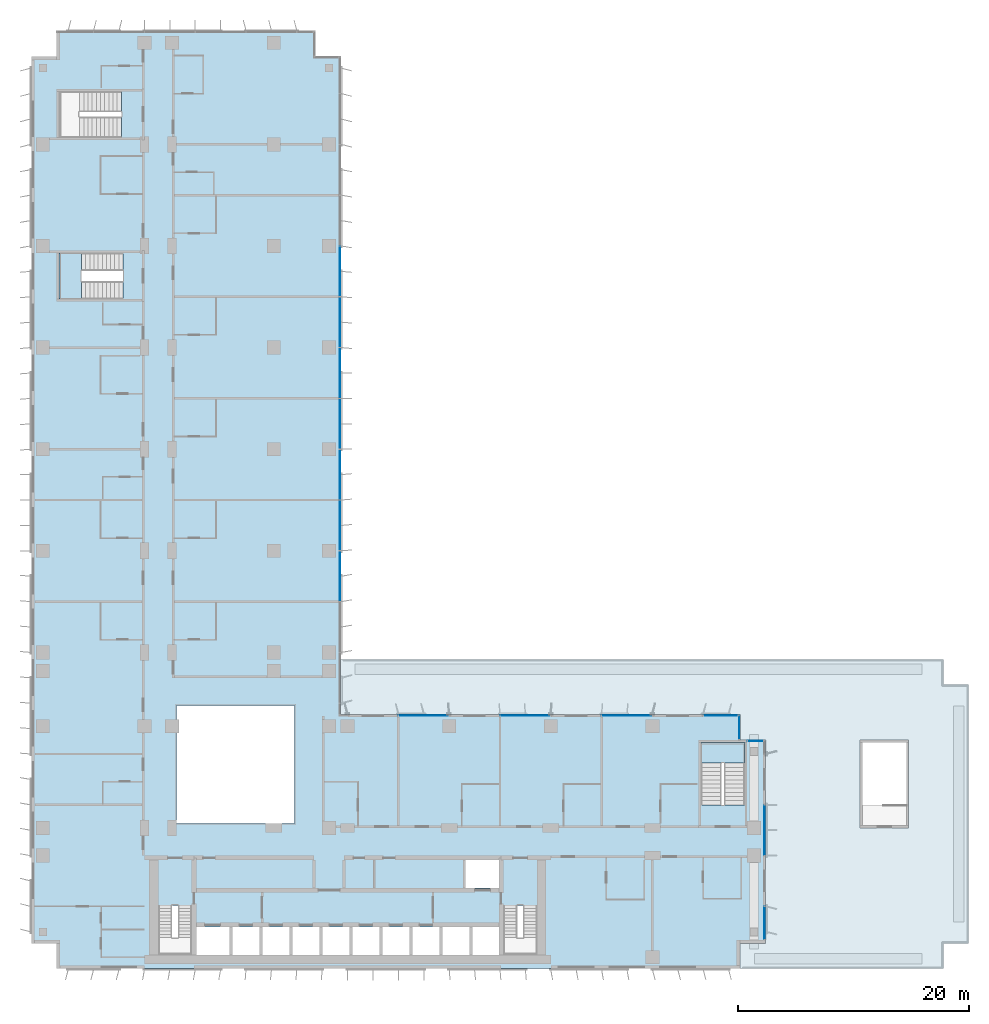
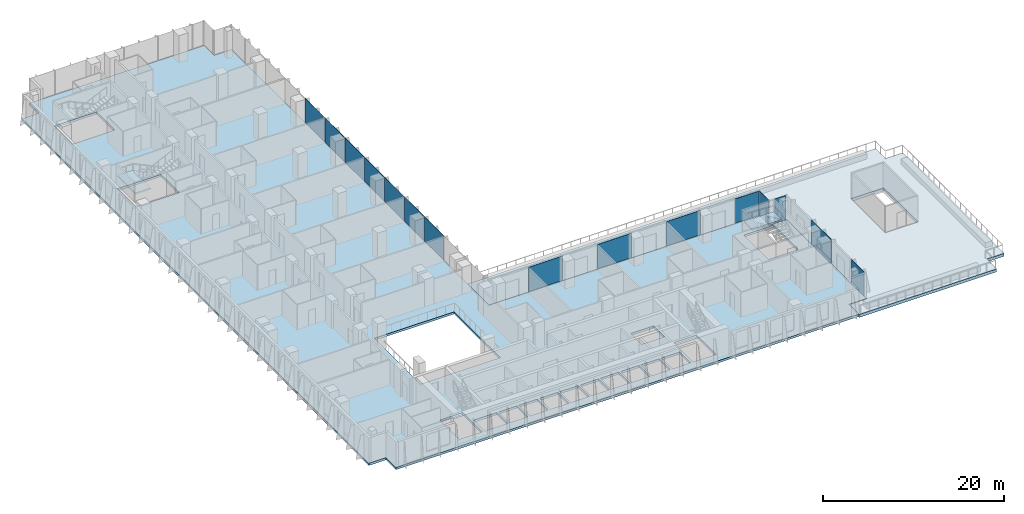
# One storey, part 11 of 27: 15 plates, 4 slabs, 11 elements without a shape of their own.
"""IFC4 building model written with IfcOpenShell, lengths in metres."""

from ifc_helpers import new_model, si_unit, direction, frame, origin, origin_2d, place, context, subcontext, project, spatial, polyline, rectangle, outline, extrude, source, transform, mapped, material, layer, layer_set, type_object, element, aggregate, save


model = new_model("IFC4")

# Units and contexts
model_context = context("Model", 3, precision=1e-05, world=origin(), true_north=direction((0.0, 1.0)))
body_context = subcontext(model_context, "Body", "Model", "MODEL_VIEW")
ifc_project = project(units=[si_unit("LENGTHUNIT", "METRE"), si_unit("AREAUNIT", "SQUARE_METRE"), si_unit("VOLUMEUNIT", "CUBIC_METRE"), si_unit("PLANEANGLEUNIT", "RADIAN"), si_unit("MASSUNIT", "GRAM", prefix="KILO")], contexts=[model_context])

# Site, building, storey
site_placement = place(None, origin())
site = spatial("IfcSite", under=ifc_project, at=site_placement, CompositionType="ELEMENT")
building_placement = place(site_placement, origin())
building = spatial("IfcBuilding", under=site, at=building_placement, Name="Kemantara Hotel Tower", CompositionType="ELEMENT")
storey_placement = place(building_placement, frame((0.0, 0.0, 83.39990234375)))
storey = spatial("IfcBuildingStorey", under=building, at=storey_placement, Name="L19", CompositionType="ELEMENT", Elevation=83.39990234375)

# Slabs
ifc_material_1 = material(Name="Concrete fc 40 MPa", Category="concrete")
ifc_layer_1 = layer(ifc_material_1, 0.300048828125)
ifc_layer_set_1 = layer_set([ifc_layer_1], Name="Concrete fc 40 MPa")
slab_type_1 = type_object("IfcSlabType", Name="POST-TENSIONED FLAT PLATE 300", PredefinedType="FLOOR", material=ifc_layer_set_1)
slab_1_placement = place(storey_placement, frame((0.0, 0.0, -0.2998046875)))
element("IfcSlab", 1, at=slab_1_placement, inside=storey, type_object=slab_type_1, Name="FLOOR SLAB L19", PredefinedType="FLOOR", context=body_context, shape_type="SweptSolid", body=[
    extrude(outline(polyline([(26.800048828125, 79.0), (24.60009765625, 79.0), (24.60009765625, 81.199951171875), (2.199951171875, 81.199951171875), (2.199951171875, 79.0), (0.0, 79.0), (0.0, 2.199951171875), (2.199951171875, 2.199951171875), (2.199951171875, 0.0), (61.39990234375, 0.0), (61.39990234375, 2.199951171875), (63.60009765625, 2.199951171875), (63.60009765625, 19.800048828125), (61.39990234375, 19.800048828125), (61.39990234375, 22.0), (26.800048828125, 22.0), (26.800048828125, 79.0)]), holes=[polyline([(17.175048828125, 1.199951171875), (14.22509765625, 1.199951171875), (14.22509765625, 3.60009765625), (17.175048828125, 3.60009765625), (17.175048828125, 1.199951171875)]), polyline([(19.77490234375, 1.199951171875), (17.425048828125, 1.199951171875), (17.425048828125, 3.60009765625), (19.77490234375, 3.60009765625), (19.77490234375, 1.199951171875)]), polyline([(22.375, 1.199951171875), (20.02490234375, 1.199951171875), (20.02490234375, 3.60009765625), (22.375, 3.60009765625), (22.375, 1.199951171875)]), polyline([(24.97509765625, 1.199951171875), (22.625, 1.199951171875), (22.625, 3.60009765625), (24.97509765625, 3.60009765625), (24.97509765625, 1.199951171875)]), polyline([(27.574951171875, 1.199951171875), (25.22509765625, 1.199951171875), (25.22509765625, 3.60009765625), (27.574951171875, 3.60009765625), (27.574951171875, 1.199951171875)]), polyline([(11.0, 1.199951171875), (11.0, 5.49951171875), (13.89990234375, 5.49951171875), (13.89990234375, 1.199951171875), (11.0, 1.199951171875)]), polyline([(22.800048828125, 12.60009765625), (12.60009765625, 12.60009765625), (12.60009765625, 22.800048828125), (22.800048828125, 22.800048828125), (22.800048828125, 12.60009765625)]), polyline([(2.39990234375, 62.0), (7.949462890625, 62.0), (7.949462890625, 58.0), (2.39990234375, 58.0), (2.39990234375, 62.0)]), polyline([(2.39990234375, 76.0), (7.79931640625, 76.0), (7.79931640625, 72.0), (2.39990234375, 72.0), (2.39990234375, 76.0)]), polyline([(30.175048828125, 1.199951171875), (27.824951171875, 1.199951171875), (27.824951171875, 3.60009765625), (30.175048828125, 3.60009765625), (30.175048828125, 1.199951171875)]), polyline([(32.77490234375, 1.199951171875), (30.425048828125, 1.199951171875), (30.425048828125, 3.60009765625), (32.77490234375, 3.60009765625), (32.77490234375, 1.199951171875)]), polyline([(35.375, 1.199951171875), (33.02490234375, 1.199951171875), (33.02490234375, 3.60009765625), (35.375, 3.60009765625), (35.375, 1.199951171875)]), polyline([(37.97509765625, 1.199951171875), (35.625, 1.199951171875), (35.625, 3.60009765625), (37.97509765625, 3.60009765625), (37.97509765625, 1.199951171875)]), polyline([(40.574951171875, 1.199951171875), (38.22509765625, 1.199951171875), (38.22509765625, 3.60009765625), (40.574951171875, 3.60009765625), (40.574951171875, 1.199951171875)]), polyline([(40.89990234375, 1.199951171875), (40.89990234375, 5.49951171875), (43.800048828125, 5.49951171875), (43.800048828125, 1.199951171875), (40.89990234375, 1.199951171875)]), polyline([(37.625, 7.0), (37.625, 9.39990234375), (40.574951171875, 9.39990234375), (40.574951171875, 7.0), (37.625, 7.0)]), polyline([(61.800048828125, 14.20068359375), (58.0, 14.20068359375), (58.0, 19.60009765625), (61.800048828125, 19.60009765625), (61.800048828125, 14.20068359375)])]), origin(), (0.0, 0.0, 1.0), 0.2998046875),
])
ifc_layer_2 = layer(ifc_material_1, 0.39990234375)
ifc_layer_set_2 = layer_set([ifc_layer_2], Name="Concrete fc 40 MPa")
slab_type_2 = type_object("IfcSlabType", Name="REINFORCED DECK SLAB 400", PredefinedType="FLOOR", material=ifc_layer_set_2)
slab_2_placement = place(storey_placement, frame((0.0, 0.0, -0.449951171875)))
element("IfcSlab", 2, at=slab_2_placement, inside=storey, type_object=slab_type_2, Name="TERRACE SLAB S1", PredefinedType="FLOOR", context=body_context, shape_type="SweptSolid", body=[
    extrude(outline(polyline([(79.0, 26.800048828125), (26.800048828125, 26.800048828125), (26.800048828125, 22.0), (61.39990234375, 22.0), (61.39990234375, 19.800048828125), (63.60009765625, 19.800048828125), (63.60009765625, 2.199951171875), (61.39990234375, 2.199951171875), (61.39990234375, 0.0), (79.0, 0.0), (79.0, 2.199951171875), (81.199951171875, 2.199951171875), (81.199951171875, 24.60009765625), (79.0, 24.60009765625), (79.0, 26.800048828125)]), holes=[polyline([(76.0, 12.199951171875), (71.800048828125, 12.199951171875), (71.800048828125, 19.800048828125), (76.0, 19.800048828125), (76.0, 12.199951171875)])]), origin(), (0.0, 0.0, 1.0), 0.400146484375),
])

# Stair, slab
stair_type_1 = type_object("IfcStairType", Name="Stair 1800 wide 22 risers of 168 x 360 mm", PredefinedType="HALF_TURN_STAIR", material=ifc_material_1)
stair_1_placement = place(storey_placement, origin())
stair_1 = element("IfcStair", 3, at=stair_1_placement, inside=storey, type_object=stair_type_1, Name="L19 Exit stair ST3", PredefinedType="HALF_TURN_STAIR")
ifc_layer_3 = layer(ifc_material_1, 0.199951171875)
ifc_layer_set_3 = layer_set([ifc_layer_3], Name="Concrete fc 40 MPa")
slab_type_3 = type_object("IfcSlabType", Name="Stair landing 200 mm", PredefinedType="LANDING", material=ifc_layer_set_3)
slab_3_placement = place(storey_placement, frame((0.0, 0.0, 1.650146484375)))
slab_3 = element("IfcSlab", 4, at=slab_3_placement, type_object=slab_type_3, Name="ST3 landing 1", PredefinedType="LANDING", context=body_context, shape_type="SweptSolid", body=[
    extrude(outline(polyline([(61.800048828125, 17.800048828125), (61.800048828125, 19.60009765625), (58.0, 19.60009765625), (58.0, 17.800048828125), (61.800048828125, 17.800048828125)])), origin(), (0.0, 0.0, 1.0), 0.199951171875),
])
aggregate(stair_1, [slab_3])

stair_type_2 = type_object("IfcStairType", Name="Stair 1550 wide 22 risers of 168 x 360 mm", PredefinedType="HALF_TURN_STAIR", material=ifc_material_1)
stair_2_placement = place(storey_placement, origin())
stair_2 = element("IfcStair", 5, at=stair_2_placement, inside=storey, type_object=stair_type_2, Name="L19 Exit stair ST4", PredefinedType="HALF_TURN_STAIR")
slab_4_placement = place(storey_placement, frame((0.0, 0.0, 1.650146484375)))
slab_4 = element("IfcSlab", 6, at=slab_4_placement, type_object=slab_type_3, Name="ST4 landing 1", PredefinedType="LANDING", context=body_context, shape_type="SweptSolid", body=[
    extrude(outline(polyline([(4.35009765625, 62.0), (2.39990234375, 62.0), (2.39990234375, 58.0), (4.35009765625, 58.0), (4.35009765625, 62.0)])), origin(), (0.0, 0.0, 1.0), 0.199951171875),
])
aggregate(stair_2, [slab_4])

# Curtain wall, plates
ifc_material_2 = material(Name="Low-E tinted double insulated glass 36 mm", Category="glass")
curtain_wall_type_1 = type_object("IfcCurtainWallType", Name="TOWER CURTAIN WALL, FRONT FACES", PredefinedType="USERDEFINED", material=ifc_material_2)
curtain_wall_1_placement = place(storey_placement, origin())
curtain_wall_1 = element("IfcCurtainWall", 7, at=curtain_wall_1_placement, inside=storey, type_object=curtain_wall_type_1, Name="CW4 L19 T2-R14-1", ObjectType="TOWER CURTAIN WALL, FRONT FACES", PredefinedType="USERDEFINED")
ifc_layer_4 = layer(ifc_material_2, 0.035888671875)
ifc_layer_set_4 = layer_set([ifc_layer_4], Name="Low-E tinted double insulated glass 36 mm")
plate_type_1 = type_object("IfcPlateType", Name="TOWER CURTAIN WALL, FRONT FACES PANEL", PredefinedType="CURTAIN_PANEL", material=ifc_layer_set_4)
shared_shape_1 = source(origin(), body_context, "Body", "SweptSolid", [
    extrude(rectangle(XDim=4.340087890625, YDim=0.035888671875, at=origin_2d()), origin(), (0.0, 0.0, 1.0), 3.280029296875),
])
plate_1_placement = place(storey_placement, frame((26.72509765625, 34.0, 0.1201171875), z_axis=(0.0, 0.0, 1.0), x_axis=(0.0, 1.0, 0.0)))
plate_1 = element("IfcPlate", 8, at=plate_1_placement, type_object=plate_type_1, Name="CW4 glass panel T2-R14-1.4", PredefinedType="CURTAIN_PANEL", context=body_context, shape_type="MappedRepresentation", body=[
    mapped(shared_shape_1, transform((0.0, 0.0, 0.0))),
])
plate_2_placement = place(storey_placement, frame((26.72509765625, 38.39990234375, 0.1201171875), z_axis=(0.0, 0.0, 1.0), x_axis=(0.0, 1.0, 0.0)))
plate_2 = element("IfcPlate", 9, at=plate_2_placement, type_object=plate_type_1, Name="CW4 glass panel T2-R14-1.5", PredefinedType="CURTAIN_PANEL", context=body_context, shape_type="MappedRepresentation", body=[
    mapped(shared_shape_1, transform((0.0, 0.0, 0.0))),
])
plate_3_placement = place(storey_placement, frame((26.72509765625, 42.800048828125, 0.1201171875), z_axis=(0.0, 0.0, 1.0), x_axis=(0.0, 1.0, 0.0)))
plate_3 = element("IfcPlate", 10, at=plate_3_placement, type_object=plate_type_1, Name="CW4 glass panel T2-R14-1.6", PredefinedType="CURTAIN_PANEL", context=body_context, shape_type="MappedRepresentation", body=[
    mapped(shared_shape_1, transform((0.0, 0.0, 0.0))),
])
plate_4_placement = place(storey_placement, frame((26.72509765625, 47.199951171875, 0.1201171875), z_axis=(0.0, 0.0, 1.0), x_axis=(0.0, 1.0, 0.0)))
plate_4 = element("IfcPlate", 11, at=plate_4_placement, type_object=plate_type_1, Name="CW4 glass panel T2-R14-1.7", PredefinedType="CURTAIN_PANEL", context=body_context, shape_type="MappedRepresentation", body=[
    mapped(shared_shape_1, transform((0.0, 0.0, 0.0))),
])
plate_5_placement = place(storey_placement, frame((26.72509765625, 51.60009765625, 0.1201171875), z_axis=(0.0, 0.0, 1.0), x_axis=(0.0, 1.0, 0.0)))
plate_5 = element("IfcPlate", 12, at=plate_5_placement, type_object=plate_type_1, Name="CW4 glass panel T2-R14-1.8", PredefinedType="CURTAIN_PANEL", context=body_context, shape_type="MappedRepresentation", body=[
    mapped(shared_shape_1, transform((0.0, 0.0, 0.0))),
])
plate_6_placement = place(storey_placement, frame((26.72509765625, 56.0, 0.1201171875), z_axis=(0.0, 0.0, 1.0), x_axis=(0.0, 1.0, 0.0)))
plate_6 = element("IfcPlate", 13, at=plate_6_placement, type_object=plate_type_1, Name="CW4 glass panel T2-R14-1.9", PredefinedType="CURTAIN_PANEL", context=body_context, shape_type="MappedRepresentation", body=[
    mapped(shared_shape_1, transform((0.0, 0.0, 0.0))),
])
plate_7_placement = place(storey_placement, frame((26.72509765625, 60.39990234375, 0.1201171875), z_axis=(0.0, 0.0, 1.0), x_axis=(0.0, 1.0, 0.0)))
plate_7 = element("IfcPlate", 14, at=plate_7_placement, type_object=plate_type_1, Name="CW4 glass panel T2-R14-1.10", PredefinedType="CURTAIN_PANEL", context=body_context, shape_type="MappedRepresentation", body=[
    mapped(shared_shape_1, transform((0.0, 0.0, 0.0))),
])
aggregate(curtain_wall_1, [plate_1, plate_2, plate_3, plate_4, plate_5, plate_6, plate_7])

# Curtain wall, plate
ifc_material_3 = material(Name="Toughened tinted glass 32 mm", Category="glass")
curtain_wall_type_2 = type_object("IfcCurtainWallType", Name="TERRACE GLAZING WALL", PredefinedType="USERDEFINED", material=ifc_material_3)
curtain_wall_2_placement = place(storey_placement, origin())
curtain_wall_2 = element("IfcCurtainWall", 15, at=curtain_wall_2_placement, inside=storey, type_object=curtain_wall_type_2, Name="CW6 L19 T2-R13-1", ObjectType="TERRACE GLAZING WALL", PredefinedType="USERDEFINED")
ifc_layer_5 = layer(ifc_material_3, 0.031982421875)
ifc_layer_set_5 = layer_set([ifc_layer_5], Name="Toughened tinted glass 32 mm")
plate_type_2 = type_object("IfcPlateType", Name="TERRACE GLAZING WALL PANEL", PredefinedType="CURTAIN_PANEL", material=ifc_layer_set_5)
shared_shape_2 = source(origin(), body_context, "Body", "SweptSolid", [
    extrude(rectangle(XDim=2.9599609375, YDim=0.031982421875, at=origin_2d()), origin(), (0.0, 0.0, 1.0), 3.280029296875),
])
plate_8_placement = place(storey_placement, frame((59.7099609375, 21.925048828125, 0.1201171875), z_axis=(0.0, 0.0, 1.0), x_axis=(-1.0, 0.0, 0.0)))
plate_8 = element("IfcPlate", 16, at=plate_8_placement, type_object=plate_type_2, Name="CW6 glass panel T2-R13-1.1", PredefinedType="CURTAIN_PANEL", context=body_context, shape_type="MappedRepresentation", body=[
    mapped(shared_shape_2, transform((0.0, 0.0, 0.0))),
])
aggregate(curtain_wall_2, [plate_8])

curtain_wall_3_placement = place(storey_placement, origin())
curtain_wall_3 = element("IfcCurtainWall", 17, at=curtain_wall_3_placement, inside=storey, type_object=curtain_wall_type_2, Name="CW6 L19 T2-R10-2", ObjectType="TERRACE GLAZING WALL", PredefinedType="USERDEFINED")
shared_shape_3 = source(origin(), body_context, "Body", "SweptSolid", [
    extrude(rectangle(XDim=4.340087890625, YDim=0.031982421875, at=origin_2d()), origin(), (0.0, 0.0, 1.0), 3.280029296875),
])
plate_9_placement = place(storey_placement, frame((63.52490234375, 12.0, 0.1201171875), z_axis=(0.0, 0.0, 1.0), x_axis=(0.0, 1.0, 0.0)))
plate_9 = element("IfcPlate", 18, at=plate_9_placement, type_object=plate_type_2, Name="CW6 glass panel T2-R10-2.1", PredefinedType="CURTAIN_PANEL", context=body_context, shape_type="MappedRepresentation", body=[
    mapped(shared_shape_3, transform((0.0, 0.0, 0.0))),
])
aggregate(curtain_wall_3, [plate_9])

curtain_wall_4_placement = place(storey_placement, origin())
curtain_wall_4 = element("IfcCurtainWall", 19, at=curtain_wall_4_placement, inside=storey, type_object=curtain_wall_type_2, Name="CW6 L19 T2-R13-2", ObjectType="TERRACE GLAZING WALL", PredefinedType="USERDEFINED")
plate_10_placement = place(storey_placement, frame((51.60009765625, 21.925048828125, 0.1201171875), z_axis=(0.0, 0.0, 1.0), x_axis=(-1.0, 0.0, 0.0)))
plate_10 = element("IfcPlate", 20, at=plate_10_placement, type_object=plate_type_2, Name="CW6 glass panel T2-R13-2.1", PredefinedType="CURTAIN_PANEL", context=body_context, shape_type="MappedRepresentation", body=[
    mapped(shared_shape_3, transform((0.0, 0.0, 0.0))),
])
aggregate(curtain_wall_4, [plate_10])

curtain_wall_5_placement = place(storey_placement, origin())
curtain_wall_5 = element("IfcCurtainWall", 21, at=curtain_wall_5_placement, inside=storey, type_object=curtain_wall_type_2, Name="CW6 L19 T2-R13-3", ObjectType="TERRACE GLAZING WALL", PredefinedType="USERDEFINED")
plate_11_placement = place(storey_placement, frame((42.800048828125, 21.925048828125, 0.1201171875), z_axis=(0.0, 0.0, 1.0), x_axis=(-1.0, 0.0, 0.0)))
plate_11 = element("IfcPlate", 22, at=plate_11_placement, type_object=plate_type_2, Name="CW6 glass panel T2-R13-3.1", PredefinedType="CURTAIN_PANEL", context=body_context, shape_type="MappedRepresentation", body=[
    mapped(shared_shape_3, transform((0.0, 0.0, 0.0))),
])
aggregate(curtain_wall_5, [plate_11])

curtain_wall_6_placement = place(storey_placement, origin())
curtain_wall_6 = element("IfcCurtainWall", 23, at=curtain_wall_6_placement, inside=storey, type_object=curtain_wall_type_2, Name="CW6 L19 T2-R13-4", ObjectType="TERRACE GLAZING WALL", PredefinedType="USERDEFINED")
plate_12_placement = place(storey_placement, frame((34.0, 21.925048828125, 0.1201171875), z_axis=(0.0, 0.0, 1.0), x_axis=(-1.0, 0.0, 0.0)))
plate_12 = element("IfcPlate", 24, at=plate_12_placement, type_object=plate_type_2, Name="CW6 glass panel T2-R13-4.1", PredefinedType="CURTAIN_PANEL", context=body_context, shape_type="MappedRepresentation", body=[
    mapped(shared_shape_3, transform((0.0, 0.0, 0.0))),
])
aggregate(curtain_wall_6, [plate_12])

curtain_wall_7_placement = place(storey_placement, origin())
curtain_wall_7 = element("IfcCurtainWall", 25, at=curtain_wall_7_placement, inside=storey, type_object=curtain_wall_type_2, Name="CW6 L19 T2-R12-1", ObjectType="TERRACE GLAZING WALL", PredefinedType="USERDEFINED")
shared_shape_4 = source(origin(), body_context, "Body", "SweptSolid", [
    extrude(rectangle(XDim=2.080078125, YDim=0.031982421875, at=origin_2d()), origin(), (0.0, 0.0, 1.0), 3.280029296875),
])
plate_13_placement = place(storey_placement, frame((61.324951171875, 20.89990234375, 0.1201171875), z_axis=(0.0, 0.0, 1.0), x_axis=(0.0, 1.0, 0.0)))
plate_13 = element("IfcPlate", 26, at=plate_13_placement, type_object=plate_type_2, Name="CW6 glass panel T2-R12-1.1", PredefinedType="CURTAIN_PANEL", context=body_context, shape_type="MappedRepresentation", body=[
    mapped(shared_shape_4, transform((0.0, 0.0, 0.0))),
])
aggregate(curtain_wall_7, [plate_13])

curtain_wall_8_placement = place(storey_placement, origin())
curtain_wall_8 = element("IfcCurtainWall", 27, at=curtain_wall_8_placement, inside=storey, type_object=curtain_wall_type_2, Name="CW6 L19 T2-R10-1", ObjectType="TERRACE GLAZING WALL", PredefinedType="USERDEFINED")
shared_shape_5 = source(origin(), body_context, "Body", "SweptSolid", [
    extrude(rectangle(XDim=2.81005859375, YDim=0.031982421875, at=origin_2d()), origin(), (0.0, 0.0, 1.0), 3.280029296875),
])
plate_14_placement = place(storey_placement, frame((63.52490234375, 3.965087890625, 0.1201171875), z_axis=(0.0, 0.0, 1.0), x_axis=(0.0, 1.0, 0.0)))
plate_14 = element("IfcPlate", 28, at=plate_14_placement, type_object=plate_type_2, Name="CW6 glass panel T2-R10-1.1", PredefinedType="CURTAIN_PANEL", context=body_context, shape_type="MappedRepresentation", body=[
    mapped(shared_shape_5, transform((0.0, 0.0, 0.0))),
])
aggregate(curtain_wall_8, [plate_14])

curtain_wall_9_placement = place(storey_placement, origin())
curtain_wall_9 = element("IfcCurtainWall", 29, at=curtain_wall_9_placement, inside=storey, type_object=curtain_wall_type_2, Name="CW6 L19 T2-R11-1", ObjectType="TERRACE GLAZING WALL", PredefinedType="USERDEFINED")
shared_shape_6 = source(origin(), body_context, "Body", "SweptSolid", [
    extrude(rectangle(XDim=1.330078125, YDim=0.031982421875, at=origin_2d()), origin(), (0.0, 0.0, 1.0), 3.280029296875),
])
plate_15_placement = place(storey_placement, frame((62.72509765625, 19.72509765625, 0.1201171875), z_axis=(0.0, 0.0, 1.0), x_axis=(-1.0, 0.0, 0.0)))
plate_15 = element("IfcPlate", 30, at=plate_15_placement, type_object=plate_type_2, Name="CW6 glass panel T2-R11-1.1", PredefinedType="CURTAIN_PANEL", context=body_context, shape_type="MappedRepresentation", body=[
    mapped(shared_shape_6, transform((0.0, 0.0, 0.0))),
])
aggregate(curtain_wall_9, [plate_15])

save(model, "model.ifc")
